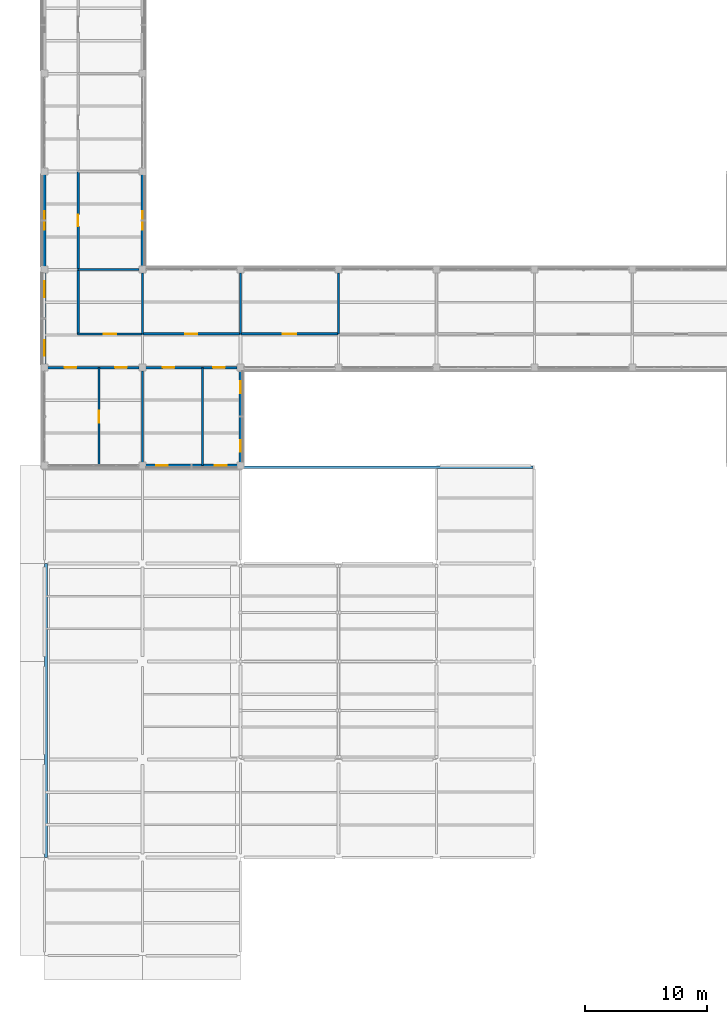
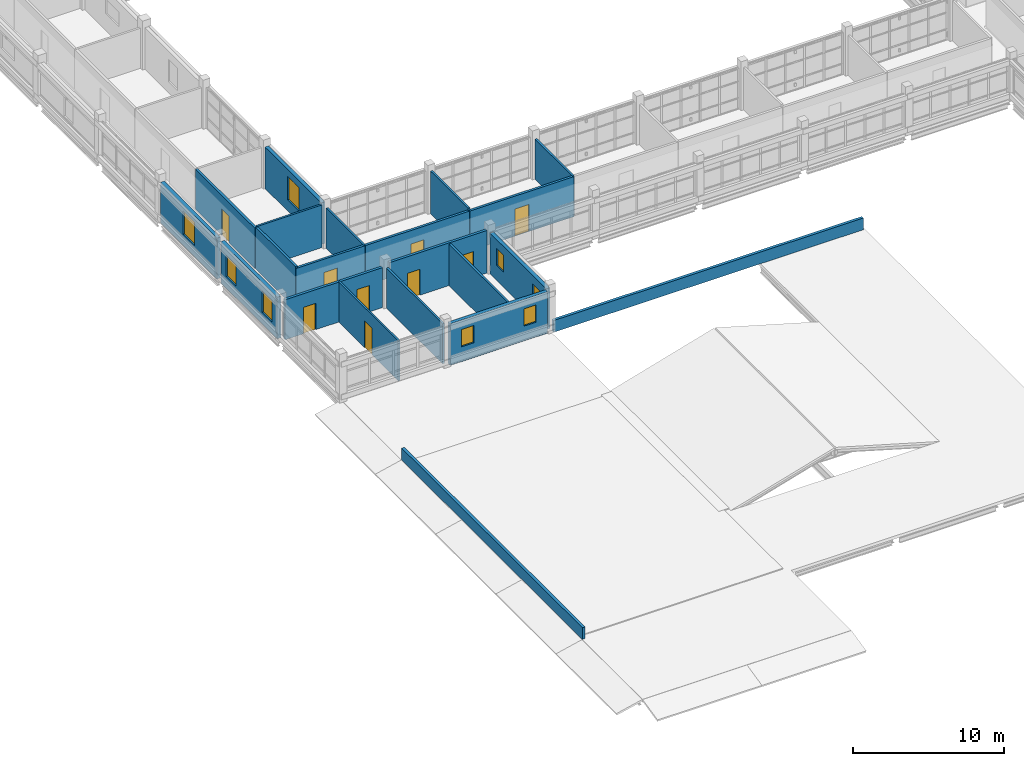
# One storey, part 74 of 107: 21 walls, 9 doors, 8 windows, 17 openings.
"""IFC4 building model written with IfcOpenShell, lengths in metres."""

from ifc_helpers import new_model, si_unit, derived_unit, direction, frame, frame_2d, origin, place, context, subcontext, project, spatial, rectangle, extrude, material, layer, layer_set, type_object, element, fill, save


model = new_model("IFC4")

# Units and contexts
model_context = context("Model", 3, precision=1e-05, world=origin(), true_north=direction((0.0, 1.0)))
body_context = subcontext(model_context, "Body", "Model", "MODEL_VIEW")
ifc_project = project(units=[si_unit("LENGTHUNIT", "METRE"), si_unit("AREAUNIT", "SQUARE_METRE"), si_unit("VOLUMEUNIT", "CUBIC_METRE"), si_unit("PLANEANGLEUNIT", "RADIAN"), si_unit("MASSUNIT", "GRAM", prefix="KILO"), derived_unit("THERMALTRANSMITTANCEUNIT", [(si_unit("MASSUNIT", "GRAM", prefix="KILO"), 1), (si_unit("TIMEUNIT", "SECOND"), -3), (si_unit("THERMODYNAMICTEMPERATUREUNIT", "KELVIN"), -1)])], contexts=[model_context])

# Site, building, storey
site_placement = place(None, origin())
site = spatial("IfcSite", under=ifc_project, at=site_placement, CompositionType="ELEMENT")
building_placement = place(site_placement, origin())
building = spatial("IfcBuilding", under=site, at=building_placement, Name="Veyamyaing Civic Hall", CompositionType="ELEMENT")
storey_placement = place(building_placement, frame((0.0, 0.0, 13.860107421875)))
storey = spatial("IfcBuildingStorey", under=building, at=storey_placement, Name="L03", CompositionType="ELEMENT", Elevation=13.860107421875)

# Wall, openings, windows
ifc_material_1 = material(Name="Precast concrete C40/50", Category="concrete")
ifc_layer_1 = layer(ifc_material_1, 0.280029296875, Name="Precast concrete C40/50")
ifc_layer_set_1 = layer_set([ifc_layer_1], Name="Precast concrete C40/50")
wall_type_1 = type_object("IfcWallType", Name="WT-04", PredefinedType="SOLIDWALL", material=ifc_layer_set_1)
wall_1_placement = place(storey_placement, frame((0.0, 48.260009765625, 0.0), z_axis=(0.0, 0.0, 1.0), x_axis=(0.0, 1.0, 0.0)))
wall_1 = element("IfcWall", 1, at=wall_1_placement, inside=storey, type_object=wall_type_1, Name="Exterior facade wall WT-04 L03 W 1.7", PredefinedType="SOLIDWALL", context=body_context, shape_type="SweptSolid", body=[
    extrude(rectangle(XDim=7.47998046875, YDim=0.280029296875, at=frame_2d((3.739990234375, 0.0))), origin(), (0.0, 0.0, 1.0), 3.364013671875),
])
opening_1_placement = place(wall_1_placement, frame((0.706298828125, 0.0, 0.949951171875)))
opening_1 = element("IfcOpeningElement", 2, at=opening_1_placement, cuts=wall_1, Name="Opening W-31", PredefinedType="OPENING", context=body_context, shape_type="SweptSolid", body=[
    extrude(rectangle(XDim=1.280029296875, YDim=1.719970703125, at=frame_2d((0.64013671875, 0.85986328125))), frame((0.0, 0.14990234375, 0.0), z_axis=(0.0, -1.0, 0.0), x_axis=(1.0, 0.0, 0.0)), (0.0, 0.0, 1.0), 0.300048828125),
])
opening_2_placement = place(wall_1_placement, frame((5.49365234375, 0.0, 0.949951171875)))
opening_2 = element("IfcOpeningElement", 3, at=opening_2_placement, cuts=wall_1, Name="Opening W-31", PredefinedType="OPENING", context=body_context, shape_type="SweptSolid", body=[
    extrude(rectangle(XDim=1.280029296875, YDim=1.719970703125, at=frame_2d((0.64013671875, 0.85986328125))), frame((0.0, 0.14990234375, 0.0), z_axis=(0.0, -1.0, 0.0), x_axis=(1.0, 0.0, 0.0)), (0.0, 0.0, 1.0), 0.300048828125),
])
ifc_material_2 = material(Name="Low-E insulated glass", Category="glass")
window_type_1 = type_object("IfcWindowType", Name="W-31", PartitioningType="SINGLE_PANEL", PredefinedType="WINDOW", material=ifc_material_2)
window_1_placement = place(opening_1_placement, origin())
window_1 = element("IfcWindow", 4, at=window_1_placement, inside=storey, type_object=window_type_1, Name="Facade window W-31 L03 W 1.7.1", OverallHeight=1.719970703125, OverallWidth=1.280029296875, PartitioningType="SINGLE_PANEL", PredefinedType="WINDOW", context=body_context, shape_type="SweptSolid", body=[
    extrude(rectangle(XDim=1.280029296875, YDim=1.719970703125, at=frame_2d((0.64013671875, 0.85986328125))), frame((0.0, 0.030029296875, 0.0), z_axis=(0.0, -1.0, 0.0), x_axis=(1.0, 0.0, 0.0)), (0.0, 0.0, 1.0), 0.06005859375),
])
fill(opening_1, window_1)
window_2_placement = place(opening_2_placement, origin())
window_2 = element("IfcWindow", 5, at=window_2_placement, inside=storey, type_object=window_type_1, Name="Facade window W-31 L03 W 1.7.2", OverallHeight=1.719970703125, OverallWidth=1.280029296875, PartitioningType="SINGLE_PANEL", PredefinedType="WINDOW", context=body_context, shape_type="SweptSolid", body=[
    extrude(rectangle(XDim=1.280029296875, YDim=1.719970703125, at=frame_2d((0.64013671875, 0.85986328125))), frame((0.0, 0.030029296875, 0.0), z_axis=(0.0, -1.0, 0.0), x_axis=(1.0, 0.0, 0.0)), (0.0, 0.0, 1.0), 0.06005859375),
])
fill(opening_2, window_2)

# Wall, opening, window
wall_2_placement = place(storey_placement, frame((0.0, 56.260009765625, 0.0), z_axis=(0.0, 0.0, 1.0), x_axis=(0.0, 1.0, 0.0)))
wall_2 = element("IfcWall", 6, at=wall_2_placement, inside=storey, type_object=wall_type_1, Name="Exterior facade wall WT-04 L03 W 1.8", PredefinedType="SOLIDWALL", context=body_context, shape_type="SweptSolid", body=[
    extrude(rectangle(XDim=7.47998046875, YDim=0.280029296875, at=frame_2d((3.739990234375, 0.0))), origin(), (0.0, 0.0, 1.0), 3.303955078125),
])
opening_3_placement = place(wall_2_placement, frame((2.989990234375, 0.0, 0.89990234375)))
opening_3 = element("IfcOpeningElement", 7, at=opening_3_placement, cuts=wall_2, Name="Opening W-12", PredefinedType="OPENING", context=body_context, shape_type="SweptSolid", body=[
    extrude(rectangle(XDim=1.5, YDim=1.89990234375, at=frame_2d((0.75, 0.949951171875))), frame((0.0, 0.14990234375, 0.0), z_axis=(0.0, -1.0, 0.0), x_axis=(1.0, 0.0, 0.0)), (0.0, 0.0, 1.0), 0.300048828125),
])
window_type_2 = type_object("IfcWindowType", Name="W-12", PartitioningType="SINGLE_PANEL", PredefinedType="WINDOW", material=ifc_material_2)
window_3_placement = place(opening_3_placement, origin())
window_3 = element("IfcWindow", 8, at=window_3_placement, inside=storey, type_object=window_type_2, Name="Facade window W-12 L03 W 1.8", OverallHeight=1.89990234375, OverallWidth=1.5, PartitioningType="SINGLE_PANEL", PredefinedType="WINDOW", context=body_context, shape_type="SweptSolid", body=[
    extrude(rectangle(XDim=1.5, YDim=1.89990234375, at=frame_2d((0.75, 0.949951171875))), frame((0.0, 0.030029296875, 0.0), z_axis=(0.0, -1.0, 0.0), x_axis=(1.0, 0.0, 0.0)), (0.0, 0.0, 1.0), 0.06005859375),
])
fill(opening_3, window_3)

wall_3_placement = place(storey_placement, frame((8.0, 56.260009765625, 0.0), z_axis=(0.0, 0.0, 1.0), x_axis=(0.0, 1.0, 0.0)))
wall_3 = element("IfcWall", 9, at=wall_3_placement, inside=storey, type_object=wall_type_1, Name="Exterior facade wall WT-04 L03 E 1.8", PredefinedType="SOLIDWALL", context=body_context, shape_type="SweptSolid", body=[
    extrude(rectangle(XDim=7.47998046875, YDim=0.280029296875, at=frame_2d((3.739990234375, 0.0))), origin(), (0.0, 0.0, 1.0), 3.366943359375),
])
opening_4_placement = place(wall_3_placement, frame((2.989990234375, 0.0, 0.89990234375)))
opening_4 = element("IfcOpeningElement", 10, at=opening_4_placement, cuts=wall_3, Name="Opening W-12", PredefinedType="OPENING", context=body_context, shape_type="SweptSolid", body=[
    extrude(rectangle(XDim=1.5, YDim=1.89990234375, at=frame_2d((0.75, 0.949951171875))), frame((0.0, 0.14990234375, 0.0), z_axis=(0.0, -1.0, 0.0), x_axis=(1.0, 0.0, 0.0)), (0.0, 0.0, 1.0), 0.300048828125),
])
window_4_placement = place(opening_4_placement, origin())
window_4 = element("IfcWindow", 11, at=window_4_placement, inside=storey, type_object=window_type_2, Name="Facade window W-12 L03 E 1.8", OverallHeight=1.89990234375, OverallWidth=1.5, PartitioningType="SINGLE_PANEL", PredefinedType="WINDOW", context=body_context, shape_type="SweptSolid", body=[
    extrude(rectangle(XDim=1.5, YDim=1.89990234375, at=frame_2d((0.75, 0.949951171875))), frame((0.0, 0.030029296875, 0.0), z_axis=(0.0, -1.0, 0.0), x_axis=(1.0, 0.0, 0.0)), (0.0, 0.0, 1.0), 0.06005859375),
])
fill(opening_4, window_4)

# Wall, openings, windows
wall_4_placement = place(storey_placement, frame((8.260009765625, 40.0, 0.0), z_axis=(0.0, 0.0, 1.0), x_axis=(1.0, 0.0, 0.0)))
wall_4 = element("IfcWall", 12, at=wall_4_placement, inside=storey, type_object=wall_type_1, Name="Exterior facade wall WT-04 L03 S 2.6", PredefinedType="SOLIDWALL", context=body_context, shape_type="SweptSolid", body=[
    extrude(rectangle(XDim=7.47998046875, YDim=0.280029296875, at=frame_2d((3.739990234375, 0.0))), origin(), (0.0, 0.0, 1.0), 3.364013671875),
])
opening_5_placement = place(wall_4_placement, frame((0.871337890625, 0.0, 1.199951171875)))
opening_5 = element("IfcOpeningElement", 13, at=opening_5_placement, cuts=wall_4, Name="Opening W-20", PredefinedType="OPENING", context=body_context, shape_type="SweptSolid", body=[
    extrude(rectangle(XDim=0.949951171875, YDim=1.39990234375, at=frame_2d((0.47509765625, 0.699951171875))), frame((0.0, 0.14990234375, 0.0), z_axis=(0.0, -1.0, 0.0), x_axis=(1.0, 0.0, 0.0)), (0.0, 0.0, 1.0), 0.300048828125),
])
opening_6_placement = place(wall_4_placement, frame((5.65869140625, 0.0, 1.199951171875)))
opening_6 = element("IfcOpeningElement", 14, at=opening_6_placement, cuts=wall_4, Name="Opening W-20", PredefinedType="OPENING", context=body_context, shape_type="SweptSolid", body=[
    extrude(rectangle(XDim=0.949951171875, YDim=1.39990234375, at=frame_2d((0.47509765625, 0.699951171875))), frame((0.0, 0.14990234375, 0.0), z_axis=(0.0, -1.0, 0.0), x_axis=(1.0, 0.0, 0.0)), (0.0, 0.0, 1.0), 0.300048828125),
])
window_type_3 = type_object("IfcWindowType", Name="W-20", PartitioningType="SINGLE_PANEL", PredefinedType="WINDOW", material=ifc_material_2)
window_5_placement = place(opening_5_placement, origin())
window_5 = element("IfcWindow", 15, at=window_5_placement, inside=storey, type_object=window_type_3, Name="Facade window W-20 L03 S 2.6.1", OverallHeight=1.39990234375, OverallWidth=0.949951171875, PartitioningType="SINGLE_PANEL", PredefinedType="WINDOW", context=body_context, shape_type="SweptSolid", body=[
    extrude(rectangle(XDim=0.949951171875, YDim=1.39990234375, at=frame_2d((0.47509765625, 0.699951171875))), frame((0.0, 0.030029296875, 0.0), z_axis=(0.0, -1.0, 0.0), x_axis=(1.0, 0.0, 0.0)), (0.0, 0.0, 1.0), 0.06005859375),
])
fill(opening_5, window_5)
window_6_placement = place(opening_6_placement, origin())
window_6 = element("IfcWindow", 16, at=window_6_placement, inside=storey, type_object=window_type_3, Name="Facade window W-20 L03 S 2.6.2", OverallHeight=1.39990234375, OverallWidth=0.949951171875, PartitioningType="SINGLE_PANEL", PredefinedType="WINDOW", context=body_context, shape_type="SweptSolid", body=[
    extrude(rectangle(XDim=0.949951171875, YDim=1.39990234375, at=frame_2d((0.47509765625, 0.699951171875))), frame((0.0, 0.030029296875, 0.0), z_axis=(0.0, -1.0, 0.0), x_axis=(1.0, 0.0, 0.0)), (0.0, 0.0, 1.0), 0.06005859375),
])
fill(opening_6, window_6)

wall_5_placement = place(storey_placement, frame((16.0, 40.260009765625, 0.0), z_axis=(0.0, 0.0, 1.0), x_axis=(0.0, 1.0, 0.0)))
wall_5 = element("IfcWall", 17, at=wall_5_placement, inside=storey, type_object=wall_type_1, Name="Exterior facade wall WT-04 L03 E 2.6", PredefinedType="SOLIDWALL", context=body_context, shape_type="SweptSolid", body=[
    extrude(rectangle(XDim=7.47998046875, YDim=0.280029296875, at=frame_2d((3.739990234375, 0.0))), origin(), (0.0, 0.0, 1.0), 3.303955078125),
])
opening_7_placement = place(wall_5_placement, frame((0.871337890625, 0.0, 1.199951171875)))
opening_7 = element("IfcOpeningElement", 18, at=opening_7_placement, cuts=wall_5, Name="Opening W-20", PredefinedType="OPENING", context=body_context, shape_type="SweptSolid", body=[
    extrude(rectangle(XDim=0.949951171875, YDim=1.39990234375, at=frame_2d((0.47509765625, 0.699951171875))), frame((0.0, 0.14990234375, 0.0), z_axis=(0.0, -1.0, 0.0), x_axis=(1.0, 0.0, 0.0)), (0.0, 0.0, 1.0), 0.300048828125),
])
opening_8_placement = place(wall_5_placement, frame((5.65869140625, 0.0, 1.199951171875)))
opening_8 = element("IfcOpeningElement", 19, at=opening_8_placement, cuts=wall_5, Name="Opening W-20", PredefinedType="OPENING", context=body_context, shape_type="SweptSolid", body=[
    extrude(rectangle(XDim=0.949951171875, YDim=1.39990234375, at=frame_2d((0.47509765625, 0.699951171875))), frame((0.0, 0.14990234375, 0.0), z_axis=(0.0, -1.0, 0.0), x_axis=(1.0, 0.0, 0.0)), (0.0, 0.0, 1.0), 0.300048828125),
])
window_7_placement = place(opening_7_placement, origin())
window_7 = element("IfcWindow", 20, at=window_7_placement, inside=storey, type_object=window_type_3, Name="Facade window W-20 L03 E 2.6.1", OverallHeight=1.39990234375, OverallWidth=0.949951171875, PartitioningType="SINGLE_PANEL", PredefinedType="WINDOW", context=body_context, shape_type="SweptSolid", body=[
    extrude(rectangle(XDim=0.949951171875, YDim=1.39990234375, at=frame_2d((0.47509765625, 0.699951171875))), frame((0.0, 0.030029296875, 0.0), z_axis=(0.0, -1.0, 0.0), x_axis=(1.0, 0.0, 0.0)), (0.0, 0.0, 1.0), 0.06005859375),
])
fill(opening_7, window_7)
window_8_placement = place(opening_8_placement, origin())
window_8 = element("IfcWindow", 21, at=window_8_placement, inside=storey, type_object=window_type_3, Name="Facade window W-20 L03 E 2.6.2", OverallHeight=1.39990234375, OverallWidth=0.949951171875, PartitioningType="SINGLE_PANEL", PredefinedType="WINDOW", context=body_context, shape_type="SweptSolid", body=[
    extrude(rectangle(XDim=0.949951171875, YDim=1.39990234375, at=frame_2d((0.47509765625, 0.699951171875))), frame((0.0, 0.030029296875, 0.0), z_axis=(0.0, -1.0, 0.0), x_axis=(1.0, 0.0, 0.0)), (0.0, 0.0, 1.0), 0.06005859375),
])
fill(opening_8, window_8)

# Wall, openings, doors
ifc_material_3 = material(Name="Concrete C40/50", Category="concrete")
ifc_layer_2 = layer(ifc_material_3, 0.199951171875, Name="Concrete C40/50")
ifc_layer_set_2 = layer_set([ifc_layer_2], Name="Concrete C40/50")
wall_type_2 = type_object("IfcWallType", Name="WT-06", PredefinedType="PARTITIONING", material=ifc_layer_set_2)
wall_6_placement = place(storey_placement, frame((0.264892578125, 48.0, 0.0), z_axis=(0.0, 0.0, 1.0), x_axis=(1.0, 0.0, 0.0)))
wall_6 = element("IfcWall", 22, at=wall_6_placement, inside=storey, type_object=wall_type_2, Name="Interior partition wall WT-06 L03.2", PredefinedType="PARTITIONING", context=body_context, shape_type="SweptSolid", body=[
    extrude(rectangle(XDim=7.47021484375, YDim=0.199951171875, at=frame_2d((3.735107421875, 0.0))), origin(), (0.0, 0.0, 1.0), 3.240966796875),
])
opening_9_placement = place(wall_6_placement, frame((1.387451171875, 0.0, 0.0)))
opening_9 = element("IfcOpeningElement", 23, at=opening_9_placement, cuts=wall_6, Name="Opening D-25", PredefinedType="OPENING", context=body_context, shape_type="SweptSolid", body=[
    extrude(rectangle(XDim=0.9599609375, YDim=2.139892578125, at=frame_2d((0.47998046875, 1.06982421875))), frame((0.0, 0.10986328125, 0.0), z_axis=(0.0, -1.0, 0.0), x_axis=(1.0, 0.0, 0.0)), (0.0, 0.0, 1.0), 0.219970703125),
])
opening_10_placement = place(wall_6_placement, frame((5.49609375, 0.0, 0.0)))
opening_10 = element("IfcOpeningElement", 24, at=opening_10_placement, cuts=wall_6, Name="Opening D-25", PredefinedType="OPENING", context=body_context, shape_type="SweptSolid", body=[
    extrude(rectangle(XDim=0.9599609375, YDim=2.139892578125, at=frame_2d((0.47998046875, 1.06982421875))), frame((0.0, 0.10986328125, 0.0), z_axis=(0.0, -1.0, 0.0), x_axis=(1.0, 0.0, 0.0)), (0.0, 0.0, 1.0), 0.219970703125),
])
ifc_material_4 = material(Name="Teak-veneered acoustic timber", Category="wood")
door_type_1 = type_object("IfcDoorType", Name="D-25", OperationType="NOTDEFINED", PredefinedType="DOOR", material=ifc_material_4)
door_1_placement = place(opening_9_placement, frame((0.9599609375, 0.0, 0.0), z_axis=(0.0, 0.0, 1.0), x_axis=(-1.0, 0.0, 0.0)))
door_1 = element("IfcDoor", 25, at=door_1_placement, inside=storey, type_object=door_type_1, Name="Interior room door D-25 L03.2.1", OperationType="SINGLE_SWING_RIGHT", OverallHeight=2.139892578125, OverallWidth=0.9599609375, PredefinedType="DOOR", context=body_context, shape_type="SweptSolid", body=[
    extrude(rectangle(XDim=0.9599609375, YDim=2.139892578125, at=frame_2d((0.47998046875, 1.06982421875))), frame((0.0, 0.02490234375, 0.0), z_axis=(0.0, -1.0, 0.0), x_axis=(1.0, 0.0, 0.0)), (0.0, 0.0, 1.0), 0.050048828125),
])
fill(opening_9, door_1)
door_2_placement = place(opening_10_placement, frame((0.9599609375, 0.0, 0.0), z_axis=(0.0, 0.0, 1.0), x_axis=(-1.0, 0.0, 0.0)))
door_2 = element("IfcDoor", 26, at=door_2_placement, inside=storey, type_object=door_type_1, Name="Interior room door D-25 L03.2.2", OperationType="SINGLE_SWING_LEFT", OverallHeight=2.139892578125, OverallWidth=0.9599609375, PredefinedType="DOOR", context=body_context, shape_type="SweptSolid", body=[
    extrude(rectangle(XDim=0.9599609375, YDim=2.139892578125, at=frame_2d((0.47998046875, 1.06982421875))), frame((0.0, 0.02490234375, 0.0), z_axis=(0.0, -1.0, 0.0), x_axis=(1.0, 0.0, 0.0)), (0.0, 0.0, 1.0), 0.050048828125),
])
fill(opening_10, door_2)

wall_7_placement = place(storey_placement, frame((8.264892578125, 48.0, 0.0), z_axis=(0.0, 0.0, 1.0), x_axis=(1.0, 0.0, 0.0)))
wall_7 = element("IfcWall", 27, at=wall_7_placement, inside=storey, type_object=wall_type_2, Name="Interior partition wall WT-06 L03.5", PredefinedType="PARTITIONING", context=body_context, shape_type="SweptSolid", body=[
    extrude(rectangle(XDim=7.47021484375, YDim=0.199951171875, at=frame_2d((3.735107421875, 0.0))), origin(), (0.0, 0.0, 1.0), 3.451904296875),
])
opening_11_placement = place(wall_7_placement, frame((1.392578125, 0.0, 0.0)))
opening_11 = element("IfcOpeningElement", 28, at=opening_11_placement, cuts=wall_7, Name="Opening D-15", PredefinedType="OPENING", context=body_context, shape_type="SweptSolid", body=[
    extrude(rectangle(XDim=0.949951171875, YDim=2.10009765625, at=frame_2d((0.47509765625, 1.050048828125))), frame((0.0, 0.10986328125, 0.0), z_axis=(0.0, -1.0, 0.0), x_axis=(1.0, 0.0, 0.0)), (0.0, 0.0, 1.0), 0.219970703125),
])
opening_12_placement = place(wall_7_placement, frame((5.5009765625, 0.0, 0.0)))
opening_12 = element("IfcOpeningElement", 29, at=opening_12_placement, cuts=wall_7, Name="Opening D-15", PredefinedType="OPENING", context=body_context, shape_type="SweptSolid", body=[
    extrude(rectangle(XDim=0.949951171875, YDim=2.10009765625, at=frame_2d((0.47509765625, 1.050048828125))), frame((0.0, 0.10986328125, 0.0), z_axis=(0.0, -1.0, 0.0), x_axis=(1.0, 0.0, 0.0)), (0.0, 0.0, 1.0), 0.219970703125),
])
door_type_2 = type_object("IfcDoorType", Name="D-15", OperationType="NOTDEFINED", PredefinedType="DOOR", material=ifc_material_4)
door_3_placement = place(opening_11_placement, frame((0.949951171875, 0.0, 0.0), z_axis=(0.0, 0.0, 1.0), x_axis=(-1.0, 0.0, 0.0)))
door_3 = element("IfcDoor", 30, at=door_3_placement, inside=storey, type_object=door_type_2, Name="Interior room door D-15 L03.5.1", OperationType="SINGLE_SWING_LEFT", OverallHeight=2.10009765625, OverallWidth=0.949951171875, PredefinedType="DOOR", context=body_context, shape_type="SweptSolid", body=[
    extrude(rectangle(XDim=0.949951171875, YDim=2.10009765625, at=frame_2d((0.47509765625, 1.050048828125))), frame((0.0, 0.02490234375, 0.0), z_axis=(0.0, -1.0, 0.0), x_axis=(1.0, 0.0, 0.0)), (0.0, 0.0, 1.0), 0.050048828125),
])
fill(opening_11, door_3)
door_4_placement = place(opening_12_placement, frame((0.949951171875, 0.0, 0.0), z_axis=(0.0, 0.0, 1.0), x_axis=(-1.0, 0.0, 0.0)))
door_4 = element("IfcDoor", 31, at=door_4_placement, inside=storey, type_object=door_type_2, Name="Interior room door D-15 L03.5.2", OperationType="SINGLE_SWING_RIGHT", OverallHeight=2.10009765625, OverallWidth=0.949951171875, PredefinedType="DOOR", context=body_context, shape_type="SweptSolid", body=[
    extrude(rectangle(XDim=0.949951171875, YDim=2.10009765625, at=frame_2d((0.47509765625, 1.050048828125))), frame((0.0, 0.02490234375, 0.0), z_axis=(0.0, -1.0, 0.0), x_axis=(1.0, 0.0, 0.0)), (0.0, 0.0, 1.0), 0.050048828125),
])
fill(opening_12, door_4)

# Wall, opening, door
ifc_material_5 = material(Name="Gypsum board on acoustic steel stud", Category="steel")
ifc_layer_3 = layer(ifc_material_5, 0.175048828125, Name="Gypsum board on acoustic steel stud")
ifc_layer_set_3 = layer_set([ifc_layer_3], Name="Gypsum board on acoustic steel stud")
wall_type_3 = type_object("IfcWallType", Name="WT-07", PredefinedType="PARTITIONING", material=ifc_layer_set_3)
wall_8_placement = place(storey_placement, frame((2.699951171875, 50.75, 0.0), z_axis=(0.0, 0.0, 1.0), x_axis=(1.0, 0.0, 0.0)))
wall_8 = element("IfcWall", 32, at=wall_8_placement, inside=storey, type_object=wall_type_3, Name="Corridor gallery partition WT-07 L03.1.1", PredefinedType="PARTITIONING", context=body_context, shape_type="SweptSolid", body=[
    extrude(rectangle(XDim=5.280029296875, YDim=0.175048828125, at=frame_2d((2.64013671875, 0.0))), origin(), (0.0, 0.0, 1.0), 3.2529296875),
])
opening_13_placement = place(wall_8_placement, frame((2.1201171875, 0.0, 0.0)))
opening_13 = element("IfcOpeningElement", 33, at=opening_13_placement, cuts=wall_8, Name="Opening D-24", PredefinedType="OPENING", context=body_context, shape_type="SweptSolid", body=[
    extrude(rectangle(XDim=1.0400390625, YDim=2.179931640625, at=frame_2d((0.52001953125, 1.08984375))), frame((0.0, 0.097412109375, 0.0), z_axis=(0.0, -1.0, 0.0), x_axis=(1.0, 0.0, 0.0)), (0.0, 0.0, 1.0), 0.195068359375),
])
door_type_3 = type_object("IfcDoorType", Name="D-24", OperationType="NOTDEFINED", PredefinedType="DOOR", material=ifc_material_4)
door_5_placement = place(opening_13_placement, origin())
door_5 = element("IfcDoor", 34, at=door_5_placement, inside=storey, type_object=door_type_3, Name="Gallery office door D-24 L03.1", OperationType="SINGLE_SWING_LEFT", OverallHeight=2.179931640625, OverallWidth=1.0400390625, PredefinedType="DOOR", context=body_context, shape_type="SweptSolid", body=[
    extrude(rectangle(XDim=1.0400390625, YDim=2.179931640625, at=frame_2d((0.52001953125, 1.08984375))), frame((0.0, 0.02490234375, 0.0), z_axis=(0.0, -1.0, 0.0), x_axis=(1.0, 0.0, 0.0)), (0.0, 0.0, 1.0), 0.050048828125),
])
fill(opening_13, door_5)

# Walls
wall_9_placement = place(storey_placement, frame((2.75, 50.699951171875, 0.0), z_axis=(0.0, 0.0, 1.0), x_axis=(0.0, 1.0, 0.0)))
element("IfcWall", 35, at=wall_9_placement, inside=storey, type_object=wall_type_3, Name="Corridor gallery partition WT-07 L03.1.2", PredefinedType="PARTITIONING", context=body_context, shape_type="SweptSolid", body=[
    extrude(rectangle(XDim=5.280029296875, YDim=0.175048828125, at=frame_2d((2.64013671875, 0.0))), origin(), (0.0, 0.0, 1.0), 3.391845703125),
])
ifc_material_6 = material(Name="Gypsum board on steel stud", Category="steel")
ifc_layer_4 = layer(ifc_material_6, 0.14990234375, Name="Gypsum board on steel stud")
ifc_layer_set_4 = layer_set([ifc_layer_4], Name="Gypsum board on steel stud")
wall_type_4 = type_object("IfcWallType", Name="WT-08", PredefinedType="PARTITIONING", material=ifc_layer_set_4)
wall_10_placement = place(storey_placement, frame((2.75, 56.0, 0.0), z_axis=(0.0, 0.0, 1.0), x_axis=(1.0, 0.0, 0.0)))
element("IfcWall", 36, at=wall_10_placement, inside=storey, type_object=wall_type_4, Name="Gallery office end partition WT-08 L03.1.1", PredefinedType="PARTITIONING", context=body_context, shape_type="SweptSolid", body=[
    extrude(rectangle(XDim=4.965087890625, YDim=0.14990234375, at=frame_2d((2.482421875, 0.0))), origin(), (0.0, 0.0, 1.0), 3.451904296875),
])
wall_11_placement = place(storey_placement, frame((8.0, 50.75, 0.0), z_axis=(0.0, 0.0, 1.0), x_axis=(0.0, 1.0, 0.0)))
element("IfcWall", 37, at=wall_11_placement, inside=storey, type_object=wall_type_4, Name="Gallery office end partition WT-08 L03.1.2", PredefinedType="PARTITIONING", context=body_context, shape_type="SweptSolid", body=[
    extrude(rectangle(XDim=4.965087890625, YDim=0.14990234375, at=frame_2d((2.482421875, 0.0))), origin(), (0.0, 0.0, 1.0), 3.2529296875),
])
wall_12_placement = place(storey_placement, frame((16.0, 50.75, 0.0), z_axis=(0.0, 0.0, 1.0), x_axis=(0.0, 1.0, 0.0)))
element("IfcWall", 38, at=wall_12_placement, inside=storey, type_object=wall_type_4, Name="Gallery office end partition WT-08 L03.8.2", PredefinedType="PARTITIONING", context=body_context, shape_type="SweptSolid", body=[
    extrude(rectangle(XDim=4.965087890625, YDim=0.14990234375, at=frame_2d((2.482421875, 0.0))), origin(), (0.0, 0.0, 1.0), 3.451904296875),
])
wall_13_placement = place(storey_placement, frame((24.0, 50.75, 0.0), z_axis=(0.0, 0.0, 1.0), x_axis=(0.0, 1.0, 0.0)))
element("IfcWall", 39, at=wall_13_placement, inside=storey, type_object=wall_type_4, Name="Gallery office end partition WT-08 L03.10.2", PredefinedType="PARTITIONING", context=body_context, shape_type="SweptSolid", body=[
    extrude(rectangle(XDim=4.965087890625, YDim=0.14990234375, at=frame_2d((2.482421875, 0.0))), origin(), (0.0, 0.0, 1.0), 3.246826171875),
])
ifc_layer_5 = layer(ifc_material_1, 0.215087890625, Name="Precast concrete C40/50")
ifc_layer_set_5 = layer_set([ifc_layer_5], Name="Precast concrete C40/50")
wall_type_5 = type_object("IfcWallType", Name="WT-11", PredefinedType="PARAPET", material=ifc_layer_set_5)
wall_14_placement = place(storey_placement, frame((0.1201171875, 8.0, 0.0), z_axis=(0.0, 0.0, 1.0), x_axis=(0.0, 1.0, 0.0)))
element("IfcWall", 40, at=wall_14_placement, inside=storey, type_object=wall_type_5, Name="Roof parapet WT-11 L03.1", PredefinedType="PARAPET", context=body_context, shape_type="SweptSolid", body=[
    extrude(rectangle(XDim=24.0, YDim=0.215087890625, at=frame_2d((12.0, 0.0))), origin(), (0.0, 0.0, 1.0), 0.949951171875),
])
wall_15_placement = place(storey_placement, frame((16.1201171875, 39.85009765625, 0.0), z_axis=(0.0, 0.0, 1.0), x_axis=(1.0, 0.0, 0.0)))
element("IfcWall", 41, at=wall_15_placement, inside=storey, type_object=wall_type_5, Name="Roof parapet WT-11 L03.2", PredefinedType="PARAPET", context=body_context, shape_type="SweptSolid", body=[
    extrude(rectangle(XDim=23.759765625, YDim=0.215087890625, at=frame_2d((11.8798828125, 0.0))), origin(), (0.0, 0.0, 1.0), 0.949951171875),
])
ifc_material_7 = material(Name="Cement-board wet-area partition")
ifc_layer_6 = layer(ifc_material_7, 0.159912109375, Name="Cement-board wet-area partition")
ifc_layer_set_6 = layer_set([ifc_layer_6], Name="Cement-board wet-area partition")
wall_type_6 = type_object("IfcWallType", Name="WT-14", PredefinedType="PARTITIONING", material=ifc_layer_set_6)
wall_16_placement = place(storey_placement, frame((8.0, 40.264892578125, 0.0), z_axis=(0.0, 0.0, 1.0), x_axis=(0.0, 1.0, 0.0)))
element("IfcWall", 42, at=wall_16_placement, inside=storey, type_object=wall_type_6, Name="Interior partition wall WT-14 L03.1", PredefinedType="PARTITIONING", context=body_context, shape_type="SweptSolid", body=[
    extrude(rectangle(XDim=7.47021484375, YDim=0.159912109375, at=frame_2d((3.735107421875, 0.0))), origin(), (0.0, 0.0, 1.0), 3.246826171875),
])
wall_17_placement = place(storey_placement, frame((12.89990234375, 40.02001953125, 0.0), z_axis=(0.0, 0.0, 1.0), x_axis=(0.0, 1.0, 0.0)))
element("IfcWall", 43, at=wall_17_placement, inside=storey, type_object=wall_type_6, Name="Sub-bay room partition WT-14 L03.2", PredefinedType="PARTITIONING", context=body_context, shape_type="SweptSolid", body=[
    extrude(rectangle(XDim=7.9599609375, YDim=0.159912109375, at=frame_2d((3.97998046875, 0.0))), origin(), (0.0, 0.0, 1.0), 3.35693359375),
])

# Wall, opening, door
ifc_layer_7 = layer(ifc_material_6, 0.135009765625, Name="Gypsum board on steel stud")
ifc_layer_set_7 = layer_set([ifc_layer_7], Name="Gypsum board on steel stud")
wall_type_7 = type_object("IfcWallType", Name="WT-15", PredefinedType="PARTITIONING", material=ifc_layer_set_7)
wall_18_placement = place(storey_placement, frame((4.449951171875, 40.02001953125, 0.0), z_axis=(0.0, 0.0, 1.0), x_axis=(0.0, 1.0, 0.0)))
wall_18 = element("IfcWall", 44, at=wall_18_placement, inside=storey, type_object=wall_type_7, Name="Sub-bay room partition WT-15 L03.1", PredefinedType="PARTITIONING", context=body_context, shape_type="SweptSolid", body=[
    extrude(rectangle(XDim=7.9599609375, YDim=0.135009765625, at=frame_2d((3.97998046875, 0.0))), origin(), (0.0, 0.0, 1.0), 3.240966796875),
])
opening_14_placement = place(wall_18_placement, frame((3.489990234375, 0.0, 0.0)))
opening_14 = element("IfcOpeningElement", 45, at=opening_14_placement, cuts=wall_18, Name="Opening D-14", PredefinedType="OPENING", context=body_context, shape_type="SweptSolid", body=[
    extrude(rectangle(XDim=0.97998046875, YDim=2.14990234375, at=frame_2d((0.489990234375, 1.074951171875))), frame((0.0, 0.077392578125, 0.0), z_axis=(0.0, -1.0, 0.0), x_axis=(1.0, 0.0, 0.0)), (0.0, 0.0, 1.0), 0.155029296875),
])
door_type_4 = type_object("IfcDoorType", Name="D-14", OperationType="NOTDEFINED", PredefinedType="DOOR", material=ifc_material_4)
door_6_placement = place(opening_14_placement, origin())
door_6 = element("IfcDoor", 46, at=door_6_placement, inside=storey, type_object=door_type_4, Name="Suite connecting door D-14 L03.1", OperationType="SINGLE_SWING_LEFT", OverallHeight=2.14990234375, OverallWidth=0.97998046875, PredefinedType="DOOR", context=body_context, shape_type="SweptSolid", body=[
    extrude(rectangle(XDim=0.97998046875, YDim=2.14990234375, at=frame_2d((0.489990234375, 1.074951171875))), frame((0.0, 0.02490234375, 0.0), z_axis=(0.0, -1.0, 0.0), x_axis=(1.0, 0.0, 0.0)), (0.0, 0.0, 1.0), 0.050048828125),
])
fill(opening_14, door_6)

ifc_material_8 = material(Name="Gypsum board on double acoustic stud")
ifc_layer_8 = layer(ifc_material_8, 0.18505859375, Name="Gypsum board on double acoustic stud")
ifc_layer_set_8 = layer_set([ifc_layer_8], Name="Gypsum board on double acoustic stud")
wall_type_8 = type_object("IfcWallType", Name="WT-19", PredefinedType="PARTITIONING", material=ifc_layer_set_8)
wall_19_placement = place(storey_placement, frame((2.75, 56.02001953125, 0.0), z_axis=(0.0, 0.0, 1.0), x_axis=(0.0, 1.0, 0.0)))
wall_19 = element("IfcWall", 47, at=wall_19_placement, inside=storey, type_object=wall_type_8, Name="Corridor gallery partition WT-19 L03.2.1", PredefinedType="PARTITIONING", context=body_context, shape_type="SweptSolid", body=[
    extrude(rectangle(XDim=7.9599609375, YDim=0.18505859375, at=frame_2d((3.97998046875, 0.0))), origin(), (0.0, 0.0, 1.0), 3.246826171875),
])
opening_15_placement = place(wall_19_placement, frame((3.5, 0.0, 0.0)))
opening_15 = element("IfcOpeningElement", 48, at=opening_15_placement, cuts=wall_19, Name="Opening D-25", PredefinedType="OPENING", context=body_context, shape_type="SweptSolid", body=[
    extrude(rectangle(XDim=0.9599609375, YDim=2.139892578125, at=frame_2d((0.47998046875, 1.06982421875))), frame((0.0, 0.1025390625, 0.0), z_axis=(0.0, -1.0, 0.0), x_axis=(1.0, 0.0, 0.0)), (0.0, 0.0, 1.0), 0.205078125),
])
door_7_placement = place(opening_15_placement, frame((0.9599609375, 0.0, 0.0), z_axis=(0.0, 0.0, 1.0), x_axis=(-1.0, 0.0, 0.0)))
door_7 = element("IfcDoor", 49, at=door_7_placement, inside=storey, type_object=door_type_1, Name="Gallery office door D-25 L03.2", OperationType="SINGLE_SWING_RIGHT", OverallHeight=2.139892578125, OverallWidth=0.9599609375, PredefinedType="DOOR", context=body_context, shape_type="SweptSolid", body=[
    extrude(rectangle(XDim=0.9599609375, YDim=2.139892578125, at=frame_2d((0.47998046875, 1.06982421875))), frame((0.0, 0.02490234375, 0.0), z_axis=(0.0, -1.0, 0.0), x_axis=(1.0, 0.0, 0.0)), (0.0, 0.0, 1.0), 0.050048828125),
])
fill(opening_15, door_7)

wall_20_placement = place(storey_placement, frame((8.02001953125, 50.75, 0.0), z_axis=(0.0, 0.0, 1.0), x_axis=(1.0, 0.0, 0.0)))
wall_20 = element("IfcWall", 50, at=wall_20_placement, inside=storey, type_object=wall_type_8, Name="Corridor gallery partition WT-19 L03.8.1", PredefinedType="PARTITIONING", context=body_context, shape_type="SweptSolid", body=[
    extrude(rectangle(XDim=7.9599609375, YDim=0.18505859375, at=frame_2d((3.97998046875, 0.0))), origin(), (0.0, 0.0, 1.0), 3.2529296875),
])
opening_16_placement = place(wall_20_placement, frame((3.489990234375, 0.0, 0.0)))
opening_16 = element("IfcOpeningElement", 51, at=opening_16_placement, cuts=wall_20, Name="Opening D-14", PredefinedType="OPENING", context=body_context, shape_type="SweptSolid", body=[
    extrude(rectangle(XDim=0.97998046875, YDim=2.14990234375, at=frame_2d((0.489990234375, 1.074951171875))), frame((0.0, 0.1025390625, 0.0), z_axis=(0.0, -1.0, 0.0), x_axis=(1.0, 0.0, 0.0)), (0.0, 0.0, 1.0), 0.205078125),
])
door_8_placement = place(opening_16_placement, origin())
door_8 = element("IfcDoor", 52, at=door_8_placement, inside=storey, type_object=door_type_4, Name="Gallery office door D-14 L03.8", OperationType="SINGLE_SWING_RIGHT", OverallHeight=2.14990234375, OverallWidth=0.97998046875, PredefinedType="DOOR", context=body_context, shape_type="SweptSolid", body=[
    extrude(rectangle(XDim=0.97998046875, YDim=2.14990234375, at=frame_2d((0.489990234375, 1.074951171875))), frame((0.0, 0.02490234375, 0.0), z_axis=(0.0, -1.0, 0.0), x_axis=(1.0, 0.0, 0.0)), (0.0, 0.0, 1.0), 0.050048828125),
])
fill(opening_16, door_8)

wall_21_placement = place(storey_placement, frame((16.02001953125, 50.75, 0.0), z_axis=(0.0, 0.0, 1.0), x_axis=(1.0, 0.0, 0.0)))
wall_21 = element("IfcWall", 53, at=wall_21_placement, inside=storey, type_object=wall_type_8, Name="Corridor gallery partition WT-19 L03.10.1", PredefinedType="PARTITIONING", context=body_context, shape_type="SweptSolid", body=[
    extrude(rectangle(XDim=7.9599609375, YDim=0.18505859375, at=frame_2d((3.97998046875, 0.0))), origin(), (0.0, 0.0, 1.0), 3.246826171875),
])
opening_17_placement = place(wall_21_placement, frame((3.43994140625, 0.0, 0.0)))
opening_17 = element("IfcOpeningElement", 54, at=opening_17_placement, cuts=wall_21, Name="Opening D-23", PredefinedType="OPENING", context=body_context, shape_type="SweptSolid", body=[
    extrude(rectangle(XDim=1.080078125, YDim=2.199951171875, at=frame_2d((0.5400390625, 1.10009765625))), frame((0.0, 0.1025390625, 0.0), z_axis=(0.0, -1.0, 0.0), x_axis=(1.0, 0.0, 0.0)), (0.0, 0.0, 1.0), 0.205078125),
])
door_type_5 = type_object("IfcDoorType", Name="D-23", OperationType="NOTDEFINED", PredefinedType="DOOR", material=ifc_material_4)
door_9_placement = place(opening_17_placement, origin())
door_9 = element("IfcDoor", 55, at=door_9_placement, inside=storey, type_object=door_type_5, Name="Gallery office door D-23 L03.10", OperationType="SINGLE_SWING_RIGHT", OverallHeight=2.199951171875, OverallWidth=1.080078125, PredefinedType="DOOR", context=body_context, shape_type="SweptSolid", body=[
    extrude(rectangle(XDim=1.080078125, YDim=2.199951171875, at=frame_2d((0.5400390625, 1.10009765625))), frame((0.0, 0.02490234375, 0.0), z_axis=(0.0, -1.0, 0.0), x_axis=(1.0, 0.0, 0.0)), (0.0, 0.0, 1.0), 0.050048828125),
])
fill(opening_17, door_9)

save(model, "model.ifc")
